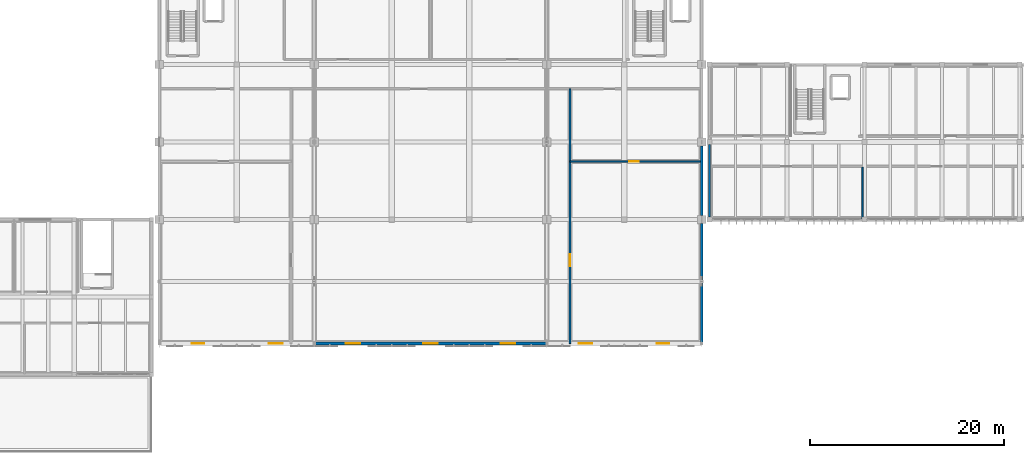
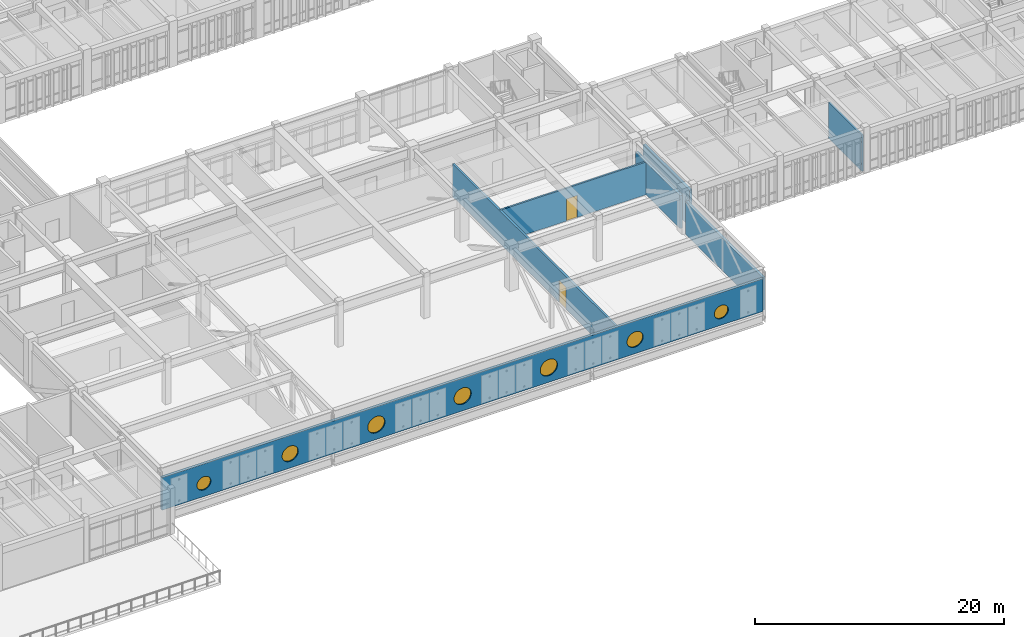
# One storey, part 55 of 79: 7 walls, 7 windows, 2 doors, 9 openings.
"""IFC4 building model written with IfcOpenShell, lengths in metres."""

from ifc_helpers import new_model, si_unit, direction, frame, frame_2d, origin, place, context, subcontext, project, spatial, rectangle, circle, extrude, material, layer, layer_set, type_object, element, fill, save


model = new_model("IFC4")

# Units and contexts
model_context = context("Model", 3, precision=1e-05, world=origin(), true_north=direction((0.0, 1.0)))
body_context = subcontext(model_context, "Body", "Model", "MODEL_VIEW")
ifc_project = project(units=[si_unit("LENGTHUNIT", "METRE"), si_unit("AREAUNIT", "SQUARE_METRE"), si_unit("VOLUMEUNIT", "CUBIC_METRE"), si_unit("PLANEANGLEUNIT", "RADIAN"), si_unit("MASSUNIT", "GRAM", prefix="KILO")], contexts=[model_context])

# Site, building, storey
site_placement = place(None, origin())
site = spatial("IfcSite", under=ifc_project, at=site_placement, CompositionType="ELEMENT")
building_placement = place(site_placement, origin())
building = spatial("IfcBuilding", under=site, at=building_placement, Name="Tlaxcora Railside Police Headquarters", CompositionType="ELEMENT")
storey_placement = place(building_placement, frame((0.0, 0.0, 9.0)))
storey = spatial("IfcBuildingStorey", under=building, at=storey_placement, Name="L02", CompositionType="ELEMENT", Elevation=9.0)

# Wall, opening, door
ifc_material_1 = material(Name="Gypsum acoustic partition board")
ifc_layer_1 = layer(ifc_material_1, 0.18994140625, Name="Gypsum acoustic partition board")
ifc_layer_set_1 = layer_set([ifc_layer_1], Name="Gypsum acoustic partition board")
wall_type_1 = type_object("IfcWallType", Name="Interior Partition Wall IW-72", PredefinedType="PARTITIONING", material=ifc_layer_set_1)
wall_1_placement = place(storey_placement, frame((88.39990234375, 23.199951171875, 0.0), z_axis=(0.0, 0.0, 1.0), x_axis=(0.0, 1.0, 0.0)))
wall_1 = element("IfcWall", 1, at=wall_1_placement, inside=storey, type_object=wall_type_1, Name="V2 L02 interior partition 132", PredefinedType="PARTITIONING", context=body_context, shape_type="SweptSolid", body=[
    extrude(rectangle(XDim=26.300048828125, YDim=0.18994140625, at=frame_2d((13.14990234375, 0.0))), origin(), (0.0, 0.0, 1.0), 3.197021484375),
])
opening_1_placement = place(wall_1_placement, frame((8.0, 0.0, 0.0)))
opening_1 = element("IfcOpeningElement", 2, at=opening_1_placement, cuts=wall_1, Name="Opening D-L02-167", PredefinedType="OPENING", context=body_context, shape_type="SweptSolid", body=[
    extrude(rectangle(XDim=1.199951171875, YDim=2.14990234375, at=frame_2d((0.60009765625, 1.074951171875))), frame((0.0, 0.10498046875, 0.0), z_axis=(0.0, -1.0, 0.0), x_axis=(1.0, 0.0, 0.0)), (0.0, 0.0, 1.0), 0.2099609375),
])
ifc_material_2 = material(Name="Steel ASTM A992 Grade 50", Category="steel")
door_type_1 = type_object("IfcDoorType", Name="Swing or Sliding Personnel Door ID-14", OperationType="NOTDEFINED", PredefinedType="DOOR", material=ifc_material_2)
door_1_placement = place(opening_1_placement, origin())
door_1 = element("IfcDoor", 3, at=door_1_placement, inside=storey, type_object=door_type_1, Name="V2 L02 door D-L02-167", OperationType="DOUBLE_DOOR_SINGLE_SWING", OverallHeight=2.14990234375, OverallWidth=1.199951171875, PredefinedType="DOOR", context=body_context, shape_type="SweptSolid", body=[
    extrude(rectangle(XDim=1.199951171875, YDim=2.14990234375, at=frame_2d((0.60009765625, 1.074951171875))), frame((0.0, 0.02490234375, 0.0), z_axis=(0.0, -1.0, 0.0), x_axis=(1.0, 0.0, 0.0)), (0.0, 0.0, 1.0), 0.050048828125),
])
fill(opening_1, door_1)

ifc_layer_2 = layer(ifc_material_1, 0.159912109375, Name="Gypsum acoustic partition board")
ifc_layer_set_2 = layer_set([ifc_layer_2], Name="Gypsum acoustic partition board")
wall_type_2 = type_object("IfcWallType", Name="Interior Partition Wall IW-73", PredefinedType="PARTITIONING", material=ifc_layer_set_2)
wall_2_placement = place(storey_placement, frame((88.39990234375, 42.0, 0.0), z_axis=(0.0, 0.0, 1.0), x_axis=(1.0, 0.0, 0.0)))
wall_2 = element("IfcWall", 4, at=wall_2_placement, inside=storey, type_object=wall_type_2, Name="V2 L02 interior partition 134", PredefinedType="PARTITIONING", context=body_context, shape_type="SweptSolid", body=[
    extrude(rectangle(XDim=13.60009765625, YDim=0.159912109375, at=frame_2d((6.800048828125, 0.0))), origin(), (0.0, 0.0, 1.0), 3.205078125),
])
opening_2_placement = place(wall_2_placement, frame((6.1201171875, 0.0, 0.0)))
opening_2 = element("IfcOpeningElement", 5, at=opening_2_placement, cuts=wall_2, Name="Opening D-L02-169", PredefinedType="OPENING", context=body_context, shape_type="SweptSolid", body=[
    extrude(rectangle(XDim=1.0, YDim=2.14990234375, at=frame_2d((0.5, 1.074951171875))), frame((0.0, 0.08984375, 0.0), z_axis=(0.0, -1.0, 0.0), x_axis=(1.0, 0.0, 0.0)), (0.0, 0.0, 1.0), 0.179931640625),
])
door_type_2 = type_object("IfcDoorType", Name="Swing or Sliding Personnel Door ID-55", OperationType="NOTDEFINED", PredefinedType="DOOR", material=ifc_material_2)
door_2_placement = place(opening_2_placement, origin())
door_2 = element("IfcDoor", 6, at=door_2_placement, inside=storey, type_object=door_type_2, Name="V2 L02 door D-L02-169", OperationType="SINGLE_SWING_LEFT", OverallHeight=2.14990234375, OverallWidth=1.0, PredefinedType="DOOR", context=body_context, shape_type="SweptSolid", body=[
    extrude(rectangle(XDim=1.0, YDim=2.14990234375, at=frame_2d((0.5, 1.074951171875))), frame((0.0, 0.02490234375, 0.0), z_axis=(0.0, -1.0, 0.0), x_axis=(1.0, 0.0, 0.0)), (0.0, 0.0, 1.0), 0.050048828125),
])
fill(opening_2, door_2)

# Wall
wall_3_placement = place(storey_placement, frame((118.612060546875, 36.080078125, 0.0), z_axis=(0.0, 0.0, 1.0), x_axis=(0.0, 1.0, 0.0)))
element("IfcWall", 7, at=wall_3_placement, inside=storey, type_object=wall_type_2, Name="V7 L02 interior partition 139", PredefinedType="PARTITIONING", context=body_context, shape_type="SweptSolid", body=[
    extrude(rectangle(XDim=5.31982421875, YDim=0.159912109375, at=frame_2d((2.659912109375, 0.0))), origin(), (0.0, 0.0, 1.0), 3.554931640625),
])

# Wall, openings, windows
ifc_material_3 = material(Name="Precast concrete C40/50", Category="concrete")
ifc_layer_3 = layer(ifc_material_3, 0.264892578125, Name="Precast concrete C40/50")
ifc_layer_set_3 = layer_set([ifc_layer_3], Name="Precast concrete C40/50")
wall_type_3 = type_object("IfcWallType", Name="Structural Bearing Wall EW-76", PredefinedType="SOLIDWALL", material=ifc_layer_set_3)
wall_4_placement = place(storey_placement, frame((46.1298828125, 23.199951171875, 0.0), z_axis=(0.0, 0.0, 1.0), x_axis=(1.0, 0.0, 0.0)))
wall_4 = element("IfcWall", 8, at=wall_4_placement, inside=storey, type_object=wall_type_3, Name="V2 L02 exterior wall 0.0", PredefinedType="SOLIDWALL", context=body_context, shape_type="SweptSolid", body=[
    extrude(rectangle(XDim=55.740234375, YDim=0.264892578125, at=frame_2d((27.8701171875, 0.0))), origin(), (0.0, 0.0, 1.0), 3.199951171875),
])
opening_3_placement = place(wall_4_placement, frame((3.219970703125, 0.0, 0.64990234375)))
opening_3 = element("IfcOpeningElement", 9, at=opening_3_placement, cuts=wall_4, Name="Opening WN-67", PredefinedType="OPENING", context=body_context, shape_type="SweptSolid", body=[
    extrude(circle(Radius=0.64990234375, at=frame_2d((0.64990234375, 0.64990234375))), frame((0.0, 0.142578125, 0.0), z_axis=(0.0, -1.0, 0.0), x_axis=(1.0, 0.0, 0.0)), (0.0, 0.0, 1.0), 0.284912109375),
])
opening_4_placement = place(wall_4_placement, frame((11.1201171875, 0.0, 0.64990234375)))
opening_4 = element("IfcOpeningElement", 10, at=opening_4_placement, cuts=wall_4, Name="Opening WN-16", PredefinedType="OPENING", context=body_context, shape_type="SweptSolid", body=[
    extrude(circle(Radius=0.75, at=frame_2d((0.75, 0.75))), frame((0.0, 0.142578125, 0.0), z_axis=(0.0, -1.0, 0.0), x_axis=(1.0, 0.0, 0.0)), (0.0, 0.0, 1.0), 0.284912109375),
])
opening_5_placement = place(wall_4_placement, frame((19.070068359375, 0.0, 0.64990234375)))
opening_5 = element("IfcOpeningElement", 11, at=opening_5_placement, cuts=wall_4, Name="Opening WN-26", PredefinedType="OPENING", context=body_context, shape_type="SweptSolid", body=[
    extrude(circle(Radius=0.800048828125, at=frame_2d((0.800048828125, 0.800048828125))), frame((0.0, 0.142578125, 0.0), z_axis=(0.0, -1.0, 0.0), x_axis=(1.0, 0.0, 0.0)), (0.0, 0.0, 1.0), 0.284912109375),
])
opening_6_placement = place(wall_4_placement, frame((27.070068359375, 0.0, 0.64990234375)))
opening_6 = element("IfcOpeningElement", 12, at=opening_6_placement, cuts=wall_4, Name="Opening WN-26", PredefinedType="OPENING", context=body_context, shape_type="SweptSolid", body=[
    extrude(circle(Radius=0.800048828125, at=frame_2d((0.800048828125, 0.800048828125))), frame((0.0, 0.142578125, 0.0), z_axis=(0.0, -1.0, 0.0), x_axis=(1.0, 0.0, 0.0)), (0.0, 0.0, 1.0), 0.284912109375),
])
opening_7_placement = place(wall_4_placement, frame((35.070068359375, 0.0, 0.64990234375)))
opening_7 = element("IfcOpeningElement", 13, at=opening_7_placement, cuts=wall_4, Name="Opening WN-26", PredefinedType="OPENING", context=body_context, shape_type="SweptSolid", body=[
    extrude(circle(Radius=0.800048828125, at=frame_2d((0.800048828125, 0.800048828125))), frame((0.0, 0.142578125, 0.0), z_axis=(0.0, -1.0, 0.0), x_axis=(1.0, 0.0, 0.0)), (0.0, 0.0, 1.0), 0.284912109375),
])
opening_8_placement = place(wall_4_placement, frame((43.1201171875, 0.0, 0.64990234375)))
opening_8 = element("IfcOpeningElement", 14, at=opening_8_placement, cuts=wall_4, Name="Opening WN-16", PredefinedType="OPENING", context=body_context, shape_type="SweptSolid", body=[
    extrude(circle(Radius=0.75, at=frame_2d((0.75, 0.75))), frame((0.0, 0.142578125, 0.0), z_axis=(0.0, -1.0, 0.0), x_axis=(1.0, 0.0, 0.0)), (0.0, 0.0, 1.0), 0.284912109375),
])
opening_9_placement = place(wall_4_placement, frame((51.219970703125, 0.0, 0.64990234375)))
opening_9 = element("IfcOpeningElement", 15, at=opening_9_placement, cuts=wall_4, Name="Opening WN-67", PredefinedType="OPENING", context=body_context, shape_type="SweptSolid", body=[
    extrude(circle(Radius=0.64990234375, at=frame_2d((0.64990234375, 0.64990234375))), frame((0.0, 0.142578125, 0.0), z_axis=(0.0, -1.0, 0.0), x_axis=(1.0, 0.0, 0.0)), (0.0, 0.0, 1.0), 0.284912109375),
])
ifc_material_4 = material(Name="Thermally broken low-E insulated glazing", Category="glass")
window_type_1 = type_object("IfcWindowType", Name="Circular Oculus Window WN-16", PartitioningType="SINGLE_PANEL", PredefinedType="WINDOW", material=ifc_material_4)
window_1_placement = place(opening_4_placement, origin())
window_1 = element("IfcWindow", 16, at=window_1_placement, inside=storey, type_object=window_type_1, Name="Command Hall circular oculus window L02-2", OverallHeight=1.5, OverallWidth=1.5, PartitioningType="SINGLE_PANEL", PredefinedType="WINDOW", context=body_context, shape_type="SweptSolid", body=[
    extrude(circle(Radius=0.75, at=frame_2d((0.75, 0.75))), frame((0.0, 0.030029296875, 0.0), z_axis=(0.0, -1.0, 0.0), x_axis=(1.0, 0.0, 0.0)), (0.0, 0.0, 1.0), 0.06005859375),
])
fill(opening_4, window_1)
window_2_placement = place(opening_8_placement, origin())
window_2 = element("IfcWindow", 17, at=window_2_placement, inside=storey, type_object=window_type_1, Name="Command Hall circular oculus window L02-6", OverallHeight=1.5, OverallWidth=1.5, PartitioningType="SINGLE_PANEL", PredefinedType="WINDOW", context=body_context, shape_type="SweptSolid", body=[
    extrude(circle(Radius=0.75, at=frame_2d((0.75, 0.75))), frame((0.0, 0.030029296875, 0.0), z_axis=(0.0, -1.0, 0.0), x_axis=(1.0, 0.0, 0.0)), (0.0, 0.0, 1.0), 0.06005859375),
])
fill(opening_8, window_2)
window_type_2 = type_object("IfcWindowType", Name="Circular Oculus Window WN-26", PartitioningType="SINGLE_PANEL", PredefinedType="WINDOW", material=ifc_material_4)
window_3_placement = place(opening_5_placement, origin())
window_3 = element("IfcWindow", 18, at=window_3_placement, inside=storey, type_object=window_type_2, Name="Command Hall circular oculus window L02-3", OverallHeight=1.60009765625, OverallWidth=1.60009765625, PartitioningType="SINGLE_PANEL", PredefinedType="WINDOW", context=body_context, shape_type="SweptSolid", body=[
    extrude(circle(Radius=0.800048828125, at=frame_2d((0.800048828125, 0.800048828125))), frame((0.0, 0.030029296875, 0.0), z_axis=(0.0, -1.0, 0.0), x_axis=(1.0, 0.0, 0.0)), (0.0, 0.0, 1.0), 0.06005859375),
])
fill(opening_5, window_3)
window_4_placement = place(opening_6_placement, origin())
window_4 = element("IfcWindow", 19, at=window_4_placement, inside=storey, type_object=window_type_2, Name="Command Hall circular oculus window L02-4", OverallHeight=1.60009765625, OverallWidth=1.60009765625, PartitioningType="SINGLE_PANEL", PredefinedType="WINDOW", context=body_context, shape_type="SweptSolid", body=[
    extrude(circle(Radius=0.800048828125, at=frame_2d((0.800048828125, 0.800048828125))), frame((0.0, 0.030029296875, 0.0), z_axis=(0.0, -1.0, 0.0), x_axis=(1.0, 0.0, 0.0)), (0.0, 0.0, 1.0), 0.06005859375),
])
fill(opening_6, window_4)
window_5_placement = place(opening_7_placement, origin())
window_5 = element("IfcWindow", 20, at=window_5_placement, inside=storey, type_object=window_type_2, Name="Command Hall circular oculus window L02-5", OverallHeight=1.60009765625, OverallWidth=1.60009765625, PartitioningType="SINGLE_PANEL", PredefinedType="WINDOW", context=body_context, shape_type="SweptSolid", body=[
    extrude(circle(Radius=0.800048828125, at=frame_2d((0.800048828125, 0.800048828125))), frame((0.0, 0.030029296875, 0.0), z_axis=(0.0, -1.0, 0.0), x_axis=(1.0, 0.0, 0.0)), (0.0, 0.0, 1.0), 0.06005859375),
])
fill(opening_7, window_5)
window_type_3 = type_object("IfcWindowType", Name="Circular Oculus Window WN-67", PartitioningType="SINGLE_PANEL", PredefinedType="WINDOW", material=ifc_material_4)
window_6_placement = place(opening_3_placement, origin())
window_6 = element("IfcWindow", 21, at=window_6_placement, inside=storey, type_object=window_type_3, Name="Command Hall circular oculus window L02-1", OverallHeight=1.300048828125, OverallWidth=1.300048828125, PartitioningType="SINGLE_PANEL", PredefinedType="WINDOW", context=body_context, shape_type="SweptSolid", body=[
    extrude(circle(Radius=0.64990234375, at=frame_2d((0.64990234375, 0.64990234375))), frame((0.0, 0.030029296875, 0.0), z_axis=(0.0, -1.0, 0.0), x_axis=(1.0, 0.0, 0.0)), (0.0, 0.0, 1.0), 0.06005859375),
])
fill(opening_3, window_6)
window_7_placement = place(opening_9_placement, origin())
window_7 = element("IfcWindow", 22, at=window_7_placement, inside=storey, type_object=window_type_3, Name="Command Hall circular oculus window L02-7", OverallHeight=1.300048828125, OverallWidth=1.300048828125, PartitioningType="SINGLE_PANEL", PredefinedType="WINDOW", context=body_context, shape_type="SweptSolid", body=[
    extrude(circle(Radius=0.64990234375, at=frame_2d((0.64990234375, 0.64990234375))), frame((0.0, 0.030029296875, 0.0), z_axis=(0.0, -1.0, 0.0), x_axis=(1.0, 0.0, 0.0)), (0.0, 0.0, 1.0), 0.06005859375),
])
fill(opening_9, window_7)

# Walls
ifc_layer_4 = layer(ifc_material_3, 0.2451171875, Name="Precast concrete C40/50")
ifc_layer_set_4 = layer_set([ifc_layer_4], Name="Precast concrete C40/50")
wall_type_4 = type_object("IfcWallType", Name="Structural Bearing Wall EW-94", PredefinedType="SOLIDWALL", material=ifc_layer_set_4)
wall_5_placement = place(storey_placement, frame((102.0, 23.199951171875, 0.0), z_axis=(0.0, 0.0, 1.0), x_axis=(0.0, 1.0, 0.0)))
element("IfcWall", 23, at=wall_5_placement, inside=storey, type_object=wall_type_4, Name="V2 L02 exterior wall 1.0", PredefinedType="SOLIDWALL", context=body_context, shape_type="SweptSolid", body=[
    extrude(rectangle(XDim=12.375, YDim=0.2451171875, at=frame_2d((6.1875, 0.0))), origin(), (0.0, 0.0, 1.0), 3.219970703125),
])
wall_6_placement = place(storey_placement, frame((102.0, 36.425048828125, 0.0), z_axis=(0.0, 0.0, 1.0), x_axis=(0.0, 1.0, 0.0)))
element("IfcWall", 24, at=wall_6_placement, inside=storey, type_object=wall_type_4, Name="V2 L02 exterior wall 1.1", PredefinedType="SOLIDWALL", context=body_context, shape_type="SweptSolid", body=[
    extrude(rectangle(XDim=7.14990234375, YDim=0.2451171875, at=frame_2d((3.574951171875, 0.0))), origin(), (0.0, 0.0, 1.0), 3.219970703125),
])
wall_7_placement = place(storey_placement, frame((102.800048828125, 43.72509765625, 0.0), z_axis=(0.0, 0.0, 1.0), x_axis=(0.0, -1.0, 0.0)))
element("IfcWall", 25, at=wall_7_placement, inside=storey, type_object=wall_type_4, Name="V7 L02 exterior wall 3.1", PredefinedType="SOLIDWALL", context=body_context, shape_type="SweptSolid", body=[
    extrude(rectangle(XDim=7.4501953125, YDim=0.2451171875, at=frame_2d((3.72509765625, 0.0))), origin(), (0.0, 0.0, 1.0), 3.570068359375),
])

save(model, "model.ifc")
